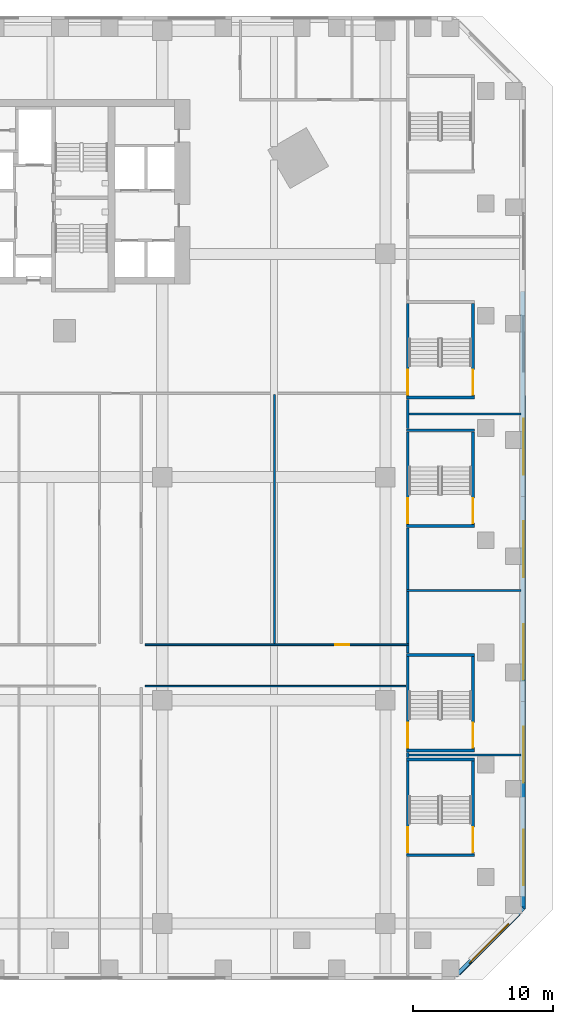
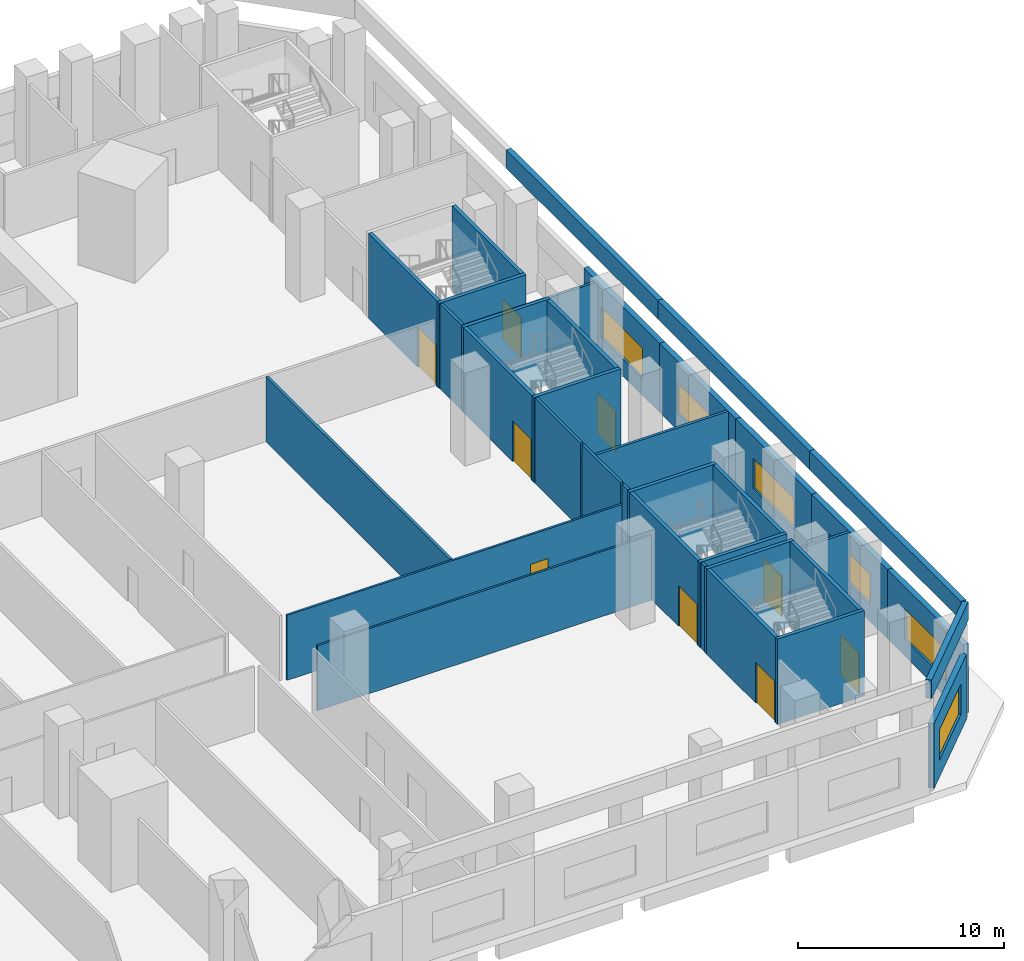
# One storey, part 9 of 22: 36 walls, 9 doors, 6 windows, 15 openings.
"""IFC4 building model written with IfcOpenShell, lengths in metres."""

from ifc_helpers import new_model, si_unit, direction, frame, frame_2d, origin, place, context, subcontext, project, spatial, rectangle, extrude, material, layer, layer_set, type_object, element, fill, save


model = new_model("IFC4")

# Units and contexts
model_context = context("Model", 3, precision=1e-05, world=origin(), true_north=direction((0.0, 1.0)))
body_context = subcontext(model_context, "Body", "Model", "MODEL_VIEW")
ifc_project = project(units=[si_unit("LENGTHUNIT", "METRE"), si_unit("AREAUNIT", "SQUARE_METRE"), si_unit("VOLUMEUNIT", "CUBIC_METRE"), si_unit("PLANEANGLEUNIT", "RADIAN"), si_unit("MASSUNIT", "GRAM", prefix="KILO")], contexts=[model_context])

# Site, building, storey
site_placement = place(None, origin())
site = spatial("IfcSite", under=ifc_project, at=site_placement, CompositionType="ELEMENT")
building_placement = place(site_placement, origin())
building = spatial("IfcBuilding", under=site, at=building_placement, Name="Calabash Gate Tower", CompositionType="ELEMENT")
storey_placement = place(building_placement, frame((0.0, 0.0, 34.5)))
storey = spatial("IfcBuildingStorey", under=building, at=storey_placement, Name="L04", CompositionType="ELEMENT", Elevation=34.5)

# Walls
ifc_material_1 = material(Name="Gypsum board on steel studs, mineral wool", Category="steel")
ifc_layer_1 = layer(ifc_material_1, 0.14990234375)
ifc_layer_set_1 = layer_set([ifc_layer_1], Name="Partition 150 gypsum board")
wall_type_1 = type_object("IfcWallType", Name="Partition 150 gypsum board", PredefinedType="PARTITIONING", material=ifc_layer_set_1)
wall_1_placement = place(storey_placement, frame((33.60009765625, -28.110107421875, 0.0), z_axis=(0.0, 0.0, 1.0), x_axis=(0.0, 1.0, 0.0)))
element("IfcWall", 1, at=wall_1_placement, inside=storey, type_object=wall_type_1, Name="Partition", PredefinedType="PARTITIONING", context=body_context, shape_type="SweptSolid", body=[
    extrude(rectangle(XDim=0.3701171875, YDim=0.14990234375, at=frame_2d((0.18505859375, 0.0))), origin(), (0.0, 0.0, 1.0), 5.050048828125),
])
wall_2_placement = place(storey_placement, frame((33.675048828125, -27.925048828125, 0.0), z_axis=(0.0, 0.0, 1.0), x_axis=(1.0, 0.0, 0.0)))
element("IfcWall", 2, at=wall_2_placement, inside=storey, type_object=wall_type_1, Name="Partition", PredefinedType="PARTITIONING", context=body_context, shape_type="SweptSolid", body=[
    extrude(rectangle(XDim=8.044921875, YDim=0.14990234375, at=frame_2d((4.0224609375, 0.0))), origin(), (0.0, 0.0, 1.0), 4.14990234375),
])
wall_3_placement = place(storey_placement, frame((14.77001953125, -22.982421875, 0.0), z_axis=(0.0, 0.0, 1.0), x_axis=(1.0, 0.0, 0.0)))
element("IfcWall", 3, at=wall_3_placement, inside=storey, type_object=wall_type_1, Name="Partition", PredefinedType="PARTITIONING", context=body_context, shape_type="SweptSolid", body=[
    extrude(rectangle(XDim=18.68994140625, YDim=0.114990234375, at=frame_2d((9.344970703125, 0.0))), origin(), (0.0, 0.0, 1.0), 3.85009765625),
])
wall_4_placement = place(storey_placement, frame((33.60009765625, -20.610107421875, 0.0), z_axis=(0.0, 0.0, 1.0), x_axis=(0.0, 1.0, 0.0)))
element("IfcWall", 4, at=wall_4_placement, inside=storey, type_object=wall_type_1, Name="Partition", PredefinedType="PARTITIONING", context=body_context, shape_type="SweptSolid", body=[
    extrude(rectangle(XDim=0.53515625, YDim=0.14990234375, at=frame_2d((0.267578125, 0.0))), origin(), (0.0, 0.0, 1.0), 5.050048828125),
])

# Wall, opening, door
wall_5_placement = place(storey_placement, frame((14.77001953125, -20.017578125, 0.0), z_axis=(0.0, 0.0, 1.0), x_axis=(1.0, 0.0, 0.0)))
wall_5 = element("IfcWall", 5, at=wall_5_placement, inside=storey, type_object=wall_type_1, Name="Partition", PredefinedType="PARTITIONING", context=body_context, shape_type="SweptSolid", body=[
    extrude(rectangle(XDim=18.905029296875, YDim=0.114990234375, at=frame_2d((9.45263671875, 0.0))), origin(), (0.0, 0.0, 1.0), 3.85009765625),
])
opening_1_placement = place(wall_5_placement, frame((13.6298828125, 0.0, 0.0)))
opening_1 = element("IfcOpeningElement", 6, at=opening_1_placement, cuts=wall_5, Name="Opening L04-057", PredefinedType="OPENING", context=body_context, shape_type="SweptSolid", body=[
    extrude(rectangle(XDim=1.0, YDim=2.10009765625, at=frame_2d((0.5, 1.050048828125))), frame((0.0, 0.0673828125, 0.0), z_axis=(0.0, -1.0, 0.0), x_axis=(1.0, 0.0, 0.0)), (0.0, 0.0, 1.0), 0.135009765625),
])
ifc_material_2 = material(Name="Steel fire door set with fire-resisting glazing", Category="steel")
door_type_1 = type_object("IfcDoorType", Name="Fire door D11 1000x2100 FD60", OperationType="NOTDEFINED", PredefinedType="DOOR", material=ifc_material_2)
door_1_placement = place(opening_1_placement, origin())
door_1 = element("IfcDoor", 7, at=door_1_placement, inside=storey, type_object=door_type_1, Name="Meeting Room 408 door", OperationType="SINGLE_SWING_RIGHT", OverallHeight=2.10009765625, OverallWidth=1.0, PredefinedType="DOOR", context=body_context, shape_type="SweptSolid", body=[
    extrude(rectangle(XDim=1.0, YDim=2.10009765625, at=frame_2d((0.5, 1.050048828125))), frame((0.0, 0.02490234375, 0.0), z_axis=(0.0, -1.0, 0.0), x_axis=(1.0, 0.0, 0.0)), (0.0, 0.0, 1.0), 0.050048828125),
])
fill(opening_1, door_1)

# Walls
wall_6_placement = place(storey_placement, frame((24.050048828125, -19.925048828125, 0.0), z_axis=(0.0, 0.0, 1.0), x_axis=(0.0, 1.0, 0.0)))
element("IfcWall", 8, at=wall_6_placement, inside=storey, type_object=wall_type_1, Name="Partition", PredefinedType="PARTITIONING", context=body_context, shape_type="SweptSolid", body=[
    extrude(rectangle(XDim=17.85009765625, YDim=0.14990234375, at=frame_2d((8.925048828125, 0.0))), origin(), (0.0, 0.0, 1.0), 3.85009765625),
])
wall_7_placement = place(storey_placement, frame((33.60009765625, -19.925048828125, 0.0), z_axis=(0.0, 0.0, 1.0), x_axis=(0.0, 1.0, 0.0)))
element("IfcWall", 9, at=wall_7_placement, inside=storey, type_object=wall_type_1, Name="Partition", PredefinedType="PARTITIONING", context=body_context, shape_type="SweptSolid", body=[
    extrude(rectangle(XDim=3.72509765625, YDim=0.14990234375, at=frame_2d((1.862548828125, 0.0))), origin(), (0.0, 0.0, 1.0), 5.050048828125),
])
wall_8_placement = place(storey_placement, frame((33.52490234375, -16.125, 0.0), z_axis=(0.0, 0.0, 1.0), x_axis=(1.0, 0.0, 0.0)))
element("IfcWall", 10, at=wall_8_placement, inside=storey, type_object=wall_type_1, Name="Partition", PredefinedType="PARTITIONING", context=body_context, shape_type="SweptSolid", body=[
    extrude(rectangle(XDim=8.195068359375, YDim=0.14990234375, at=frame_2d((4.09765625, 0.0))), origin(), (0.0, 0.0, 1.0), 4.14990234375),
])
wall_9_placement = place(storey_placement, frame((33.60009765625, -16.050048828125, 0.0), z_axis=(0.0, 0.0, 1.0), x_axis=(0.0, 1.0, 0.0)))
element("IfcWall", 11, at=wall_9_placement, inside=storey, type_object=wall_type_1, Name="Partition", PredefinedType="PARTITIONING", context=body_context, shape_type="SweptSolid", body=[
    extrude(rectangle(XDim=4.41015625, YDim=0.14990234375, at=frame_2d((2.205078125, 0.0))), origin(), (0.0, 0.0, 1.0), 5.050048828125),
])
wall_10_placement = place(storey_placement, frame((33.60009765625, -4.510009765625, 0.0), z_axis=(0.0, 0.0, 1.0), x_axis=(0.0, 1.0, 0.0)))
element("IfcWall", 12, at=wall_10_placement, inside=storey, type_object=wall_type_1, Name="Partition", PredefinedType="PARTITIONING", context=body_context, shape_type="SweptSolid", body=[
    extrude(rectangle(XDim=2.070068359375, YDim=0.14990234375, at=frame_2d((1.03515625, 0.0))), origin(), (0.0, 0.0, 1.0), 5.050048828125),
])
wall_11_placement = place(storey_placement, frame((33.675048828125, -3.47509765625, 0.0), z_axis=(0.0, 0.0, 1.0), x_axis=(1.0, 0.0, 0.0)))
element("IfcWall", 13, at=wall_11_placement, inside=storey, type_object=wall_type_1, Name="Partition", PredefinedType="PARTITIONING", context=body_context, shape_type="SweptSolid", body=[
    extrude(rectangle(XDim=8.044921875, YDim=0.14990234375, at=frame_2d((4.0224609375, 0.0))), origin(), (0.0, 0.0, 1.0), 4.14990234375),
])

# Wall, opening, window
ifc_material_3 = material(Name="Terracotta brick masonry, exposed face", Category="masonry")
ifc_layer_2 = layer(ifc_material_3, 0.300048828125)
ifc_layer_set_2 = layer_set([ifc_layer_2], Name="Podium brick wall 300")
wall_type_2 = type_object("IfcWallType", Name="Podium brick wall 300", PredefinedType="SOLIDWALL", material=ifc_layer_set_2)
wall_12_placement = place(storey_placement, frame((37.27099609375, -43.587646484375, 0.0), z_axis=(0.0, 0.0, 1.0), x_axis=(0.707106781187, 0.707106781187, 0.0)))
wall_12 = element("IfcWall", 14, at=wall_12_placement, inside=storey, type_object=wall_type_2, Name="Podium brick wall L04 1.0.0", PredefinedType="SOLIDWALL", context=body_context, shape_type="SweptSolid", body=[
    extrude(rectangle(XDim=6.104736328125, YDim=0.300048828125, at=frame_2d((3.05224609375, 0.0))), origin(), (0.0, 0.0, 1.0), 3.85009765625),
])
opening_2_placement = place(wall_12_placement, frame((1.05224609375, 0.0, 1.0)))
opening_2 = element("IfcOpeningElement", 15, at=opening_2_placement, cuts=wall_12, Name="Opening WM1", PredefinedType="OPENING", context=body_context, shape_type="SweptSolid", body=[
    extrude(rectangle(XDim=4.0, YDim=1.800048828125, at=frame_2d((2.0, 0.89990234375))), frame((0.0, 0.159912109375, 0.0), z_axis=(0.0, -1.0, 0.0), x_axis=(1.0, 0.0, 0.0)), (0.0, 0.0, 1.0), 0.320068359375),
])
ifc_material_4 = material(Name="Anodised aluminium frame, bronze finish, impact-rated laminated clear glazing", Category="aluminium")
window_type = type_object("IfcWindowType", Name="Window WM1 4000x1800", PartitioningType="TRIPLE_PANEL_VERTICAL", PredefinedType="WINDOW", material=ifc_material_4)
window_1_placement = place(opening_2_placement, origin())
window_1 = element("IfcWindow", 16, at=window_1_placement, inside=storey, type_object=window_type, Name="Meeting room window L04 1.0.0", OverallHeight=1.800048828125, OverallWidth=4.0, PartitioningType="SINGLE_PANEL", PredefinedType="WINDOW", context=body_context, shape_type="SweptSolid", body=[
    extrude(rectangle(XDim=4.0, YDim=1.800048828125, at=frame_2d((2.0, 0.89990234375))), frame((0.0, 0.030029296875, 0.0), z_axis=(0.0, -1.0, 0.0), x_axis=(1.0, 0.0, 0.0)), (0.0, 0.0, 1.0), 0.06005859375),
])
fill(opening_2, window_1)

wall_13_placement = place(storey_placement, frame((41.89990234375, -38.949951171875, 0.0), z_axis=(0.0, 0.0, 1.0), x_axis=(0.0, 1.0, 0.0)))
wall_13 = element("IfcWall", 17, at=wall_13_placement, inside=storey, type_object=wall_type_2, Name="Podium brick wall L04 2.0.0", PredefinedType="SOLIDWALL", context=body_context, shape_type="SweptSolid", body=[
    extrude(rectangle(XDim=7.362548828125, YDim=0.300048828125, at=frame_2d((3.68115234375, 0.0))), origin(), (0.0, 0.0, 1.0), 4.10009765625),
])
opening_3_placement = place(wall_13_placement, frame((1.68115234375, 0.0, 1.0)))
opening_3 = element("IfcOpeningElement", 18, at=opening_3_placement, cuts=wall_13, Name="Opening WM1", PredefinedType="OPENING", context=body_context, shape_type="SweptSolid", body=[
    extrude(rectangle(XDim=4.0, YDim=1.800048828125, at=frame_2d((2.0, 0.89990234375))), frame((0.0, 0.159912109375, 0.0), z_axis=(0.0, -1.0, 0.0), x_axis=(1.0, 0.0, 0.0)), (0.0, 0.0, 1.0), 0.320068359375),
])
window_2_placement = place(opening_3_placement, origin())
window_2 = element("IfcWindow", 19, at=window_2_placement, inside=storey, type_object=window_type, Name="Meeting room window L04 2.0.0", OverallHeight=1.800048828125, OverallWidth=4.0, PartitioningType="SINGLE_PANEL", PredefinedType="WINDOW", context=body_context, shape_type="SweptSolid", body=[
    extrude(rectangle(XDim=4.0, YDim=1.800048828125, at=frame_2d((2.0, 0.89990234375))), frame((0.0, 0.030029296875, 0.0), z_axis=(0.0, -1.0, 0.0), x_axis=(1.0, 0.0, 0.0)), (0.0, 0.0, 1.0), 0.06005859375),
])
fill(opening_3, window_2)

wall_14_placement = place(storey_placement, frame((41.89990234375, -31.58740234375, 0.0), z_axis=(0.0, 0.0, 1.0), x_axis=(0.0, 1.0, 0.0)))
wall_14 = element("IfcWall", 20, at=wall_14_placement, inside=storey, type_object=wall_type_2, Name="Podium brick wall L04 2.0.1", PredefinedType="SOLIDWALL", context=body_context, shape_type="SweptSolid", body=[
    extrude(rectangle(XDim=7.3623046875, YDim=0.300048828125, at=frame_2d((3.68115234375, 0.0))), origin(), (0.0, 0.0, 1.0), 4.10009765625),
])
opening_4_placement = place(wall_14_placement, frame((1.68115234375, 0.0, 1.0)))
opening_4 = element("IfcOpeningElement", 21, at=opening_4_placement, cuts=wall_14, Name="Opening WM1", PredefinedType="OPENING", context=body_context, shape_type="SweptSolid", body=[
    extrude(rectangle(XDim=4.0, YDim=1.800048828125, at=frame_2d((2.0, 0.89990234375))), frame((0.0, 0.159912109375, 0.0), z_axis=(0.0, -1.0, 0.0), x_axis=(1.0, 0.0, 0.0)), (0.0, 0.0, 1.0), 0.320068359375),
])
window_3_placement = place(opening_4_placement, origin())
window_3 = element("IfcWindow", 22, at=window_3_placement, inside=storey, type_object=window_type, Name="Meeting room window L04 2.0.1", OverallHeight=1.800048828125, OverallWidth=4.0, PartitioningType="SINGLE_PANEL", PredefinedType="WINDOW", context=body_context, shape_type="SweptSolid", body=[
    extrude(rectangle(XDim=4.0, YDim=1.800048828125, at=frame_2d((2.0, 0.89990234375))), frame((0.0, 0.030029296875, 0.0), z_axis=(0.0, -1.0, 0.0), x_axis=(1.0, 0.0, 0.0)), (0.0, 0.0, 1.0), 0.06005859375),
])
fill(opening_4, window_3)

wall_15_placement = place(storey_placement, frame((41.89990234375, -24.22509765625, 0.0), z_axis=(0.0, 0.0, 1.0), x_axis=(0.0, 1.0, 0.0)))
wall_15 = element("IfcWall", 23, at=wall_15_placement, inside=storey, type_object=wall_type_2, Name="Podium brick wall L04 2.0.2", PredefinedType="SOLIDWALL", context=body_context, shape_type="SweptSolid", body=[
    extrude(rectangle(XDim=7.362548828125, YDim=0.300048828125, at=frame_2d((3.68115234375, 0.0))), origin(), (0.0, 0.0, 1.0), 4.10009765625),
])
opening_5_placement = place(wall_15_placement, frame((1.68115234375, 0.0, 1.0)))
opening_5 = element("IfcOpeningElement", 24, at=opening_5_placement, cuts=wall_15, Name="Opening WM1", PredefinedType="OPENING", context=body_context, shape_type="SweptSolid", body=[
    extrude(rectangle(XDim=4.0, YDim=1.800048828125, at=frame_2d((2.0, 0.89990234375))), frame((0.0, 0.159912109375, 0.0), z_axis=(0.0, -1.0, 0.0), x_axis=(1.0, 0.0, 0.0)), (0.0, 0.0, 1.0), 0.320068359375),
])
window_4_placement = place(opening_5_placement, origin())
window_4 = element("IfcWindow", 25, at=window_4_placement, inside=storey, type_object=window_type, Name="Meeting room window L04 2.0.2", OverallHeight=1.800048828125, OverallWidth=4.0, PartitioningType="SINGLE_PANEL", PredefinedType="WINDOW", context=body_context, shape_type="SweptSolid", body=[
    extrude(rectangle(XDim=4.0, YDim=1.800048828125, at=frame_2d((2.0, 0.89990234375))), frame((0.0, 0.030029296875, 0.0), z_axis=(0.0, -1.0, 0.0), x_axis=(1.0, 0.0, 0.0)), (0.0, 0.0, 1.0), 0.06005859375),
])
fill(opening_5, window_4)

wall_16_placement = place(storey_placement, frame((41.89990234375, -16.862548828125, 0.0), z_axis=(0.0, 0.0, 1.0), x_axis=(0.0, 1.0, 0.0)))
wall_16 = element("IfcWall", 26, at=wall_16_placement, inside=storey, type_object=wall_type_2, Name="Podium brick wall L04 2.0.3", PredefinedType="SOLIDWALL", context=body_context, shape_type="SweptSolid", body=[
    extrude(rectangle(XDim=7.362548828125, YDim=0.300048828125, at=frame_2d((3.68115234375, 0.0))), origin(), (0.0, 0.0, 1.0), 4.10009765625),
])
opening_6_placement = place(wall_16_placement, frame((1.68115234375, 0.0, 1.0)))
opening_6 = element("IfcOpeningElement", 27, at=opening_6_placement, cuts=wall_16, Name="Opening WM1", PredefinedType="OPENING", context=body_context, shape_type="SweptSolid", body=[
    extrude(rectangle(XDim=4.0, YDim=1.800048828125, at=frame_2d((2.0, 0.89990234375))), frame((0.0, 0.159912109375, 0.0), z_axis=(0.0, -1.0, 0.0), x_axis=(1.0, 0.0, 0.0)), (0.0, 0.0, 1.0), 0.320068359375),
])
window_5_placement = place(opening_6_placement, origin())
window_5 = element("IfcWindow", 28, at=window_5_placement, inside=storey, type_object=window_type, Name="Meeting room window L04 2.0.3", OverallHeight=1.800048828125, OverallWidth=4.0, PartitioningType="SINGLE_PANEL", PredefinedType="WINDOW", context=body_context, shape_type="SweptSolid", body=[
    extrude(rectangle(XDim=4.0, YDim=1.800048828125, at=frame_2d((2.0, 0.89990234375))), frame((0.0, 0.030029296875, 0.0), z_axis=(0.0, -1.0, 0.0), x_axis=(1.0, 0.0, 0.0)), (0.0, 0.0, 1.0), 0.06005859375),
])
fill(opening_6, window_5)

wall_17_placement = place(storey_placement, frame((41.89990234375, -9.5, 0.0), z_axis=(0.0, 0.0, 1.0), x_axis=(0.0, 1.0, 0.0)))
wall_17 = element("IfcWall", 29, at=wall_17_placement, inside=storey, type_object=wall_type_2, Name="Podium brick wall L04 2.0.4", PredefinedType="SOLIDWALL", context=body_context, shape_type="SweptSolid", body=[
    extrude(rectangle(XDim=7.362548828125, YDim=0.300048828125, at=frame_2d((3.68115234375, 0.0))), origin(), (0.0, 0.0, 1.0), 4.10009765625),
])
opening_7_placement = place(wall_17_placement, frame((1.68115234375, 0.0, 1.0)))
opening_7 = element("IfcOpeningElement", 30, at=opening_7_placement, cuts=wall_17, Name="Opening WM1", PredefinedType="OPENING", context=body_context, shape_type="SweptSolid", body=[
    extrude(rectangle(XDim=4.0, YDim=1.800048828125, at=frame_2d((2.0, 0.89990234375))), frame((0.0, 0.159912109375, 0.0), z_axis=(0.0, -1.0, 0.0), x_axis=(1.0, 0.0, 0.0)), (0.0, 0.0, 1.0), 0.320068359375),
])
window_6_placement = place(opening_7_placement, origin())
window_6 = element("IfcWindow", 31, at=window_6_placement, inside=storey, type_object=window_type, Name="Meeting room window L04 2.0.4", OverallHeight=1.800048828125, OverallWidth=4.0, PartitioningType="SINGLE_PANEL", PredefinedType="WINDOW", context=body_context, shape_type="SweptSolid", body=[
    extrude(rectangle(XDim=4.0, YDim=1.800048828125, at=frame_2d((2.0, 0.89990234375))), frame((0.0, 0.030029296875, 0.0), z_axis=(0.0, -1.0, 0.0), x_axis=(1.0, 0.0, 0.0)), (0.0, 0.0, 1.0), 0.06005859375),
])
fill(opening_7, window_6)

# Walls
ifc_material_5 = material(Name="Terracotta brick masonry, exposed face", Category="masonry")
ifc_layer_3 = layer(ifc_material_5, 0.300048828125)
ifc_layer_set_3 = layer_set([ifc_layer_3], Name="Podium parapet wall 300")
wall_type_3 = type_object("IfcWallType", Name="Podium parapet wall 300", PredefinedType="PARAPET", material=ifc_layer_set_3)
wall_18_placement = place(storey_placement, frame((37.04248046875, -43.745361328125, 5.5), z_axis=(0.0, 0.0, 1.0), x_axis=(0.707124572946, 0.70708898898, 0.0)))
element("IfcWall", 32, at=wall_18_placement, inside=storey, type_object=wall_type_3, Name="Podium parapet L04 1.0.0", PredefinedType="PARAPET", context=body_context, shape_type="SweptSolid", body=[
    extrude(rectangle(XDim=6.861083984375, YDim=0.300048828125, at=frame_2d((3.4306640625, 0.0))), origin(), (0.0, 0.0, 1.0), 1.10009765625),
])
for number, where, z_axis, x_axis, name in (
    (33, (41.85009765625, -38.7900390625, 5.5), (0.0, 0.0, 1.0), (0.0, 1.0, 0.0), "Podium parapet L04 2.0.0"),
    (34, (41.85009765625, -24.092529296875, 5.5), (0.0, 0.0, 1.0), (0.0, 1.0, 0.0), "Podium parapet L04 2.0.1"),
    (35, (41.85009765625, -9.39501953125, 5.5), (0.0, 0.0, 1.0), (0.0, 1.0, 0.0), "Podium parapet L04 2.0.2"),
):
    element("IfcWall", number, at=place(storey_placement, frame(where, z_axis=z_axis, x_axis=x_axis)), inside=storey, type_object=wall_type_3, Name=name, PredefinedType="PARAPET", context=body_context, shape_type="SweptSolid", body=[
        extrude(rectangle(XDim=14.697509765625, YDim=0.300048828125, at=frame_2d((7.3486328125, 0.0))), origin(), (0.0, 0.0, 1.0), 1.10009765625),
    ])
ifc_material_6 = material(Name="Concrete C40/50", Category="concrete")
ifc_layer_4 = layer(ifc_material_6, 0.199951171875)
ifc_layer_set_4 = layer_set([ifc_layer_4], Name="Stair wall 200 Concrete C40/50")
wall_type_4 = type_object("IfcWallType", Name="Stair wall 200 Concrete C40/50", PredefinedType="SOLIDWALL", material=ifc_layer_set_4)
for number, where, z_axis, x_axis, name in (
    (36, (33.5, -35.10009765625, 0.0), (0.0, 0.0, 1.0), (1.0, 0.0, 0.0), "Stair wall"),
    (37, (33.5, -28.25, 0.0), (0.0, 0.0, 1.0), (1.0, 0.0, 0.0), "Stair wall"),
):
    element("IfcWall", number, at=place(storey_placement, frame(where, z_axis=z_axis, x_axis=x_axis)), inside=storey, type_object=wall_type_4, Name=name, PredefinedType="SOLIDWALL", context=body_context, shape_type="SweptSolid", body=[
        extrude(rectangle(XDim=4.8701171875, YDim=0.199951171875, at=frame_2d((2.43505859375, 0.0))), origin(), (0.0, 0.0, 1.0), 5.050048828125),
    ])

# Wall, opening, door
wall_19_placement = place(storey_placement, frame((33.60009765625, -35.0, 0.0), z_axis=(0.0, 0.0, 1.0), x_axis=(0.0, 1.0, 0.0)))
wall_19 = element("IfcWall", 38, at=wall_19_placement, inside=storey, type_object=wall_type_4, Name="Stair wall", PredefinedType="SOLIDWALL", context=body_context, shape_type="SweptSolid", body=[
    extrude(rectangle(XDim=6.64990234375, YDim=0.199951171875, at=frame_2d((3.324951171875, 0.0))), origin(), (0.0, 0.0, 1.0), 5.050048828125),
])
opening_8_placement = place(wall_19_placement, frame((0.10009765625, 0.0, 0.0)))
opening_8 = element("IfcOpeningElement", 39, at=opening_8_placement, cuts=wall_19, Name="Opening L04-030", PredefinedType="OPENING", context=body_context, shape_type="SweptSolid", body=[
    extrude(rectangle(XDim=1.800048828125, YDim=2.39990234375, at=frame_2d((0.89990234375, 1.199951171875))), frame((0.0, 0.10986328125, 0.0), z_axis=(0.0, -1.0, 0.0), x_axis=(1.0, 0.0, 0.0)), (0.0, 0.0, 1.0), 0.219970703125),
])
ifc_material_7 = material(Name="Steel fire door set with fire-resisting glazing", Category="steel")
door_type_2 = type_object("IfcDoorType", Name="Double fire door D16 1800x2400 FD90", OperationType="DOUBLE_DOOR_SINGLE_SWING", PredefinedType="DOOR", material=ifc_material_7)
door_2_placement = place(opening_8_placement, origin())
door_2 = element("IfcDoor", 40, at=door_2_placement, inside=storey, type_object=door_type_2, Name="Exit stair door PS6", OperationType="DOUBLE_DOOR_SINGLE_SWING", OverallHeight=2.39990234375, OverallWidth=1.800048828125, PredefinedType="DOOR", context=body_context, shape_type="SweptSolid", body=[
    extrude(rectangle(XDim=1.800048828125, YDim=2.39990234375, at=frame_2d((0.89990234375, 1.199951171875))), frame((0.0, 0.02490234375, 0.0), z_axis=(0.0, -1.0, 0.0), x_axis=(1.0, 0.0, 0.0)), (0.0, 0.0, 1.0), 0.050048828125),
])
fill(opening_8, door_2)

wall_20_placement = place(storey_placement, frame((38.27001953125, -35.0, 0.0), z_axis=(0.0, 0.0, 1.0), x_axis=(0.0, 1.0, 0.0)))
wall_20 = element("IfcWall", 41, at=wall_20_placement, inside=storey, type_object=wall_type_4, Name="Stair wall", PredefinedType="SOLIDWALL", context=body_context, shape_type="SweptSolid", body=[
    extrude(rectangle(XDim=6.64990234375, YDim=0.199951171875, at=frame_2d((3.324951171875, 0.0))), origin(), (0.0, 0.0, 1.0), 5.050048828125),
])
opening_9_placement = place(wall_20_placement, frame((0.10009765625, 0.0, 0.0)))
opening_9 = element("IfcOpeningElement", 42, at=opening_9_placement, cuts=wall_20, Name="Opening L04-031", PredefinedType="OPENING", context=body_context, shape_type="SweptSolid", body=[
    extrude(rectangle(XDim=1.800048828125, YDim=2.39990234375, at=frame_2d((0.89990234375, 1.199951171875))), frame((0.0, 0.10986328125, 0.0), z_axis=(0.0, -1.0, 0.0), x_axis=(1.0, 0.0, 0.0)), (0.0, 0.0, 1.0), 0.219970703125),
])
door_3_placement = place(opening_9_placement, origin())
door_3 = element("IfcDoor", 43, at=door_3_placement, inside=storey, type_object=door_type_2, Name="Exit stair door PS6", OperationType="DOUBLE_DOOR_SINGLE_SWING", OverallHeight=2.39990234375, OverallWidth=1.800048828125, PredefinedType="DOOR", context=body_context, shape_type="SweptSolid", body=[
    extrude(rectangle(XDim=1.800048828125, YDim=2.39990234375, at=frame_2d((0.89990234375, 1.199951171875))), frame((0.0, 0.02490234375, 0.0), z_axis=(0.0, -1.0, 0.0), x_axis=(1.0, 0.0, 0.0)), (0.0, 0.0, 1.0), 0.050048828125),
])
fill(opening_9, door_3)

# Walls
for number, where, z_axis, x_axis, name in (
    (44, (33.5, -27.60009765625, 0.0), (0.0, 0.0, 1.0), (1.0, 0.0, 0.0), "Stair wall"),
    (45, (33.5, -20.75, 0.0), (0.0, 0.0, 1.0), (1.0, 0.0, 0.0), "Stair wall"),
):
    element("IfcWall", number, at=place(storey_placement, frame(where, z_axis=z_axis, x_axis=x_axis)), inside=storey, type_object=wall_type_4, Name=name, PredefinedType="SOLIDWALL", context=body_context, shape_type="SweptSolid", body=[
        extrude(rectangle(XDim=4.8701171875, YDim=0.199951171875, at=frame_2d((2.43505859375, 0.0))), origin(), (0.0, 0.0, 1.0), 5.050048828125),
    ])

# Wall, opening, door
wall_21_placement = place(storey_placement, frame((33.60009765625, -27.5, 0.0), z_axis=(0.0, 0.0, 1.0), x_axis=(0.0, 1.0, 0.0)))
wall_21 = element("IfcWall", 46, at=wall_21_placement, inside=storey, type_object=wall_type_4, Name="Stair wall", PredefinedType="SOLIDWALL", context=body_context, shape_type="SweptSolid", body=[
    extrude(rectangle(XDim=6.64990234375, YDim=0.199951171875, at=frame_2d((3.324951171875, 0.0))), origin(), (0.0, 0.0, 1.0), 5.050048828125),
])
opening_10_placement = place(wall_21_placement, frame((0.10009765625, 0.0, 0.0)))
opening_10 = element("IfcOpeningElement", 47, at=opening_10_placement, cuts=wall_21, Name="Opening L04-032", PredefinedType="OPENING", context=body_context, shape_type="SweptSolid", body=[
    extrude(rectangle(XDim=1.800048828125, YDim=2.39990234375, at=frame_2d((0.89990234375, 1.199951171875))), frame((0.0, 0.10986328125, 0.0), z_axis=(0.0, -1.0, 0.0), x_axis=(1.0, 0.0, 0.0)), (0.0, 0.0, 1.0), 0.219970703125),
])
door_4_placement = place(opening_10_placement, origin())
door_4 = element("IfcDoor", 48, at=door_4_placement, inside=storey, type_object=door_type_2, Name="Exit stair door PS7", OperationType="DOUBLE_DOOR_SINGLE_SWING", OverallHeight=2.39990234375, OverallWidth=1.800048828125, PredefinedType="DOOR", context=body_context, shape_type="SweptSolid", body=[
    extrude(rectangle(XDim=1.800048828125, YDim=2.39990234375, at=frame_2d((0.89990234375, 1.199951171875))), frame((0.0, 0.02490234375, 0.0), z_axis=(0.0, -1.0, 0.0), x_axis=(1.0, 0.0, 0.0)), (0.0, 0.0, 1.0), 0.050048828125),
])
fill(opening_10, door_4)

wall_22_placement = place(storey_placement, frame((38.27001953125, -27.5, 0.0), z_axis=(0.0, 0.0, 1.0), x_axis=(0.0, 1.0, 0.0)))
wall_22 = element("IfcWall", 49, at=wall_22_placement, inside=storey, type_object=wall_type_4, Name="Stair wall", PredefinedType="SOLIDWALL", context=body_context, shape_type="SweptSolid", body=[
    extrude(rectangle(XDim=6.64990234375, YDim=0.199951171875, at=frame_2d((3.324951171875, 0.0))), origin(), (0.0, 0.0, 1.0), 5.050048828125),
])
opening_11_placement = place(wall_22_placement, frame((0.10009765625, 0.0, 0.0)))
opening_11 = element("IfcOpeningElement", 50, at=opening_11_placement, cuts=wall_22, Name="Opening L04-033", PredefinedType="OPENING", context=body_context, shape_type="SweptSolid", body=[
    extrude(rectangle(XDim=1.800048828125, YDim=2.39990234375, at=frame_2d((0.89990234375, 1.199951171875))), frame((0.0, 0.10986328125, 0.0), z_axis=(0.0, -1.0, 0.0), x_axis=(1.0, 0.0, 0.0)), (0.0, 0.0, 1.0), 0.219970703125),
])
door_5_placement = place(opening_11_placement, origin())
door_5 = element("IfcDoor", 51, at=door_5_placement, inside=storey, type_object=door_type_2, Name="Exit stair door PS7", OperationType="DOUBLE_DOOR_SINGLE_SWING", OverallHeight=2.39990234375, OverallWidth=1.800048828125, PredefinedType="DOOR", context=body_context, shape_type="SweptSolid", body=[
    extrude(rectangle(XDim=1.800048828125, YDim=2.39990234375, at=frame_2d((0.89990234375, 1.199951171875))), frame((0.0, 0.02490234375, 0.0), z_axis=(0.0, -1.0, 0.0), x_axis=(1.0, 0.0, 0.0)), (0.0, 0.0, 1.0), 0.050048828125),
])
fill(opening_11, door_5)

# Walls
for number, where, z_axis, x_axis, name in (
    (52, (33.5, -11.5, 0.0), (0.0, 0.0, 1.0), (1.0, 0.0, 0.0), "Stair wall"),
    (53, (33.5, -4.64990234375, 0.0), (0.0, 0.0, 1.0), (1.0, 0.0, 0.0), "Stair wall"),
):
    element("IfcWall", number, at=place(storey_placement, frame(where, z_axis=z_axis, x_axis=x_axis)), inside=storey, type_object=wall_type_4, Name=name, PredefinedType="SOLIDWALL", context=body_context, shape_type="SweptSolid", body=[
        extrude(rectangle(XDim=4.8701171875, YDim=0.199951171875, at=frame_2d((2.43505859375, 0.0))), origin(), (0.0, 0.0, 1.0), 5.050048828125),
    ])

# Wall, opening, door
wall_23_placement = place(storey_placement, frame((33.60009765625, -11.39990234375, 0.0), z_axis=(0.0, 0.0, 1.0), x_axis=(0.0, 1.0, 0.0)))
wall_23 = element("IfcWall", 54, at=wall_23_placement, inside=storey, type_object=wall_type_4, Name="Stair wall", PredefinedType="SOLIDWALL", context=body_context, shape_type="SweptSolid", body=[
    extrude(rectangle(XDim=6.64990234375, YDim=0.199951171875, at=frame_2d((3.324951171875, 0.0))), origin(), (0.0, 0.0, 1.0), 5.050048828125),
])
opening_12_placement = place(wall_23_placement, frame((0.10009765625, 0.0, 0.0)))
opening_12 = element("IfcOpeningElement", 55, at=opening_12_placement, cuts=wall_23, Name="Opening L04-034", PredefinedType="OPENING", context=body_context, shape_type="SweptSolid", body=[
    extrude(rectangle(XDim=1.800048828125, YDim=2.39990234375, at=frame_2d((0.89990234375, 1.199951171875))), frame((0.0, 0.10986328125, 0.0), z_axis=(0.0, -1.0, 0.0), x_axis=(1.0, 0.0, 0.0)), (0.0, 0.0, 1.0), 0.219970703125),
])
door_6_placement = place(opening_12_placement, origin())
door_6 = element("IfcDoor", 56, at=door_6_placement, inside=storey, type_object=door_type_2, Name="Exit stair door PS8", OperationType="DOUBLE_DOOR_SINGLE_SWING", OverallHeight=2.39990234375, OverallWidth=1.800048828125, PredefinedType="DOOR", context=body_context, shape_type="SweptSolid", body=[
    extrude(rectangle(XDim=1.800048828125, YDim=2.39990234375, at=frame_2d((0.89990234375, 1.199951171875))), frame((0.0, 0.02490234375, 0.0), z_axis=(0.0, -1.0, 0.0), x_axis=(1.0, 0.0, 0.0)), (0.0, 0.0, 1.0), 0.050048828125),
])
fill(opening_12, door_6)

wall_24_placement = place(storey_placement, frame((38.27001953125, -11.39990234375, 0.0), z_axis=(0.0, 0.0, 1.0), x_axis=(0.0, 1.0, 0.0)))
wall_24 = element("IfcWall", 57, at=wall_24_placement, inside=storey, type_object=wall_type_4, Name="Stair wall", PredefinedType="SOLIDWALL", context=body_context, shape_type="SweptSolid", body=[
    extrude(rectangle(XDim=6.64990234375, YDim=0.199951171875, at=frame_2d((3.324951171875, 0.0))), origin(), (0.0, 0.0, 1.0), 5.050048828125),
])
opening_13_placement = place(wall_24_placement, frame((0.10009765625, 0.0, 0.0)))
opening_13 = element("IfcOpeningElement", 58, at=opening_13_placement, cuts=wall_24, Name="Opening L04-035", PredefinedType="OPENING", context=body_context, shape_type="SweptSolid", body=[
    extrude(rectangle(XDim=1.800048828125, YDim=2.39990234375, at=frame_2d((0.89990234375, 1.199951171875))), frame((0.0, 0.10986328125, 0.0), z_axis=(0.0, -1.0, 0.0), x_axis=(1.0, 0.0, 0.0)), (0.0, 0.0, 1.0), 0.219970703125),
])
door_7_placement = place(opening_13_placement, origin())
door_7 = element("IfcDoor", 59, at=door_7_placement, inside=storey, type_object=door_type_2, Name="Exit stair door PS8", OperationType="DOUBLE_DOOR_SINGLE_SWING", OverallHeight=2.39990234375, OverallWidth=1.800048828125, PredefinedType="DOOR", context=body_context, shape_type="SweptSolid", body=[
    extrude(rectangle(XDim=1.800048828125, YDim=2.39990234375, at=frame_2d((0.89990234375, 1.199951171875))), frame((0.0, 0.02490234375, 0.0), z_axis=(0.0, -1.0, 0.0), x_axis=(1.0, 0.0, 0.0)), (0.0, 0.0, 1.0), 0.050048828125),
])
fill(opening_13, door_7)

# Wall
wall_25_placement = place(storey_placement, frame((33.5, -2.300048828125, 0.0), z_axis=(0.0, 0.0, 1.0), x_axis=(1.0, 0.0, 0.0)))
element("IfcWall", 60, at=wall_25_placement, inside=storey, type_object=wall_type_4, Name="Stair wall", PredefinedType="SOLIDWALL", context=body_context, shape_type="SweptSolid", body=[
    extrude(rectangle(XDim=4.8701171875, YDim=0.199951171875, at=frame_2d((2.43505859375, 0.0))), origin(), (0.0, 0.0, 1.0), 5.050048828125),
])

# Wall, opening, door
wall_26_placement = place(storey_placement, frame((33.60009765625, -2.199951171875, 0.0), z_axis=(0.0, 0.0, 1.0), x_axis=(0.0, 1.0, 0.0)))
wall_26 = element("IfcWall", 61, at=wall_26_placement, inside=storey, type_object=wall_type_4, Name="Stair wall", PredefinedType="SOLIDWALL", context=body_context, shape_type="SweptSolid", body=[
    extrude(rectangle(XDim=6.64990234375, YDim=0.199951171875, at=frame_2d((3.324951171875, 0.0))), origin(), (0.0, 0.0, 1.0), 5.050048828125),
])
opening_14_placement = place(wall_26_placement, frame((0.10009765625, 0.0, 0.0)))
opening_14 = element("IfcOpeningElement", 62, at=opening_14_placement, cuts=wall_26, Name="Opening L04-036", PredefinedType="OPENING", context=body_context, shape_type="SweptSolid", body=[
    extrude(rectangle(XDim=1.800048828125, YDim=2.39990234375, at=frame_2d((0.89990234375, 1.199951171875))), frame((0.0, 0.10986328125, 0.0), z_axis=(0.0, -1.0, 0.0), x_axis=(1.0, 0.0, 0.0)), (0.0, 0.0, 1.0), 0.219970703125),
])
door_8_placement = place(opening_14_placement, origin())
door_8 = element("IfcDoor", 63, at=door_8_placement, inside=storey, type_object=door_type_2, Name="Exit stair door PS9", OperationType="DOUBLE_DOOR_SINGLE_SWING", OverallHeight=2.39990234375, OverallWidth=1.800048828125, PredefinedType="DOOR", context=body_context, shape_type="SweptSolid", body=[
    extrude(rectangle(XDim=1.800048828125, YDim=2.39990234375, at=frame_2d((0.89990234375, 1.199951171875))), frame((0.0, 0.02490234375, 0.0), z_axis=(0.0, -1.0, 0.0), x_axis=(1.0, 0.0, 0.0)), (0.0, 0.0, 1.0), 0.050048828125),
])
fill(opening_14, door_8)

wall_27_placement = place(storey_placement, frame((38.27001953125, -2.199951171875, 0.0), z_axis=(0.0, 0.0, 1.0), x_axis=(0.0, 1.0, 0.0)))
wall_27 = element("IfcWall", 64, at=wall_27_placement, inside=storey, type_object=wall_type_4, Name="Stair wall", PredefinedType="SOLIDWALL", context=body_context, shape_type="SweptSolid", body=[
    extrude(rectangle(XDim=6.64990234375, YDim=0.199951171875, at=frame_2d((3.324951171875, 0.0))), origin(), (0.0, 0.0, 1.0), 5.050048828125),
])
opening_15_placement = place(wall_27_placement, frame((0.10009765625, 0.0, 0.0)))
opening_15 = element("IfcOpeningElement", 65, at=opening_15_placement, cuts=wall_27, Name="Opening L04-037", PredefinedType="OPENING", context=body_context, shape_type="SweptSolid", body=[
    extrude(rectangle(XDim=1.800048828125, YDim=2.39990234375, at=frame_2d((0.89990234375, 1.199951171875))), frame((0.0, 0.10986328125, 0.0), z_axis=(0.0, -1.0, 0.0), x_axis=(1.0, 0.0, 0.0)), (0.0, 0.0, 1.0), 0.219970703125),
])
door_9_placement = place(opening_15_placement, origin())
door_9 = element("IfcDoor", 66, at=door_9_placement, inside=storey, type_object=door_type_2, Name="Exit stair door PS9", OperationType="DOUBLE_DOOR_SINGLE_SWING", OverallHeight=2.39990234375, OverallWidth=1.800048828125, PredefinedType="DOOR", context=body_context, shape_type="SweptSolid", body=[
    extrude(rectangle(XDim=1.800048828125, YDim=2.39990234375, at=frame_2d((0.89990234375, 1.199951171875))), frame((0.0, 0.02490234375, 0.0), z_axis=(0.0, -1.0, 0.0), x_axis=(1.0, 0.0, 0.0)), (0.0, 0.0, 1.0), 0.050048828125),
])
fill(opening_15, door_9)

save(model, "model.ifc")
